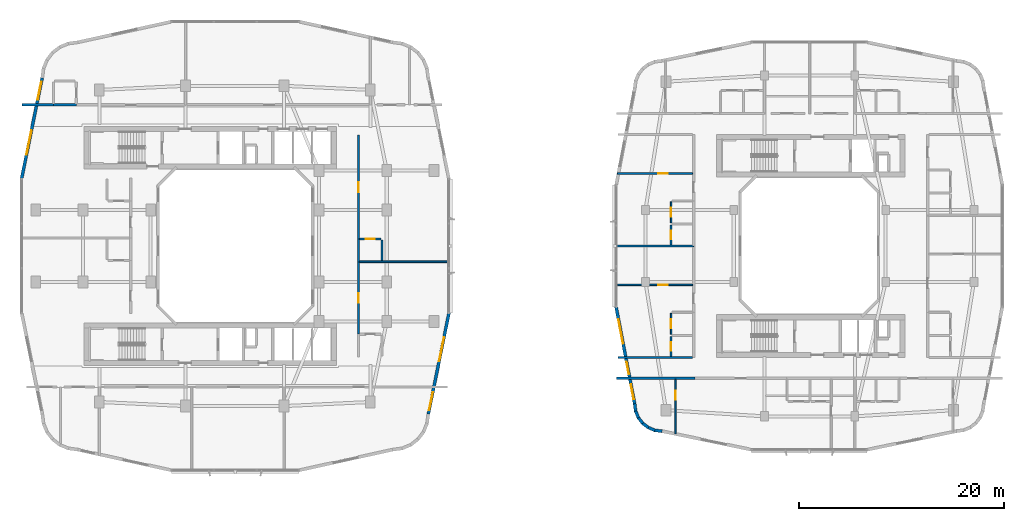
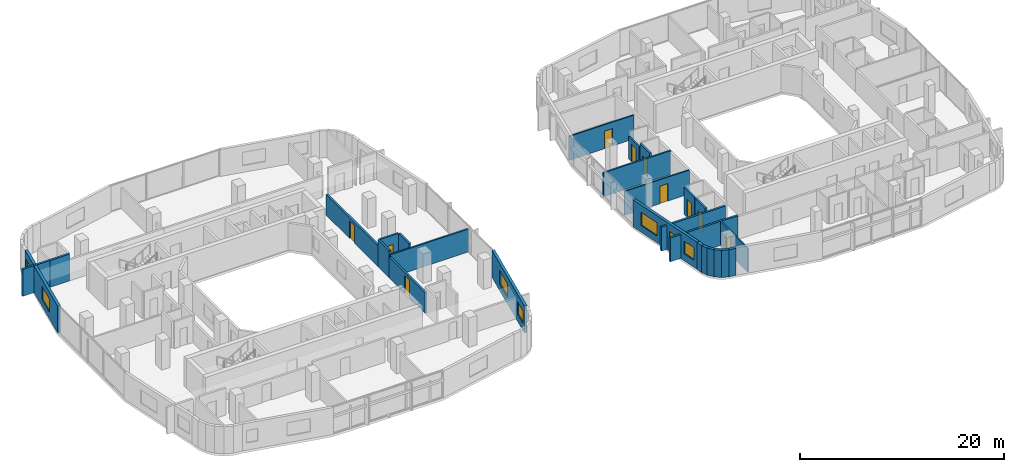
# One storey, part 15 of 26: 27 walls, 10 doors, 7 windows, 17 openings.
"""IFC4 building model written with IfcOpenShell, lengths in metres."""

from ifc_helpers import new_model, si_unit, derived_unit, direction, frame, frame_2d, origin, place, context, subcontext, project, spatial, rectangle, extrude, material, layer, layer_set, type_object, element, fill, save


model = new_model("IFC4")

# Units and contexts
model_context = context("Model", 3, precision=1e-05, world=origin(), true_north=direction((0.0, 1.0)))
body_context = subcontext(model_context, "Body", "Model", "MODEL_VIEW")
ifc_project = project(units=[si_unit("LENGTHUNIT", "METRE"), si_unit("AREAUNIT", "SQUARE_METRE"), si_unit("VOLUMEUNIT", "CUBIC_METRE"), si_unit("PLANEANGLEUNIT", "RADIAN"), si_unit("MASSUNIT", "GRAM", prefix="KILO"), derived_unit("THERMALTRANSMITTANCEUNIT", [(si_unit("POWERUNIT", "WATT"), 1), (si_unit("LENGTHUNIT", "METRE"), -2), (si_unit("THERMODYNAMICTEMPERATUREUNIT", "KELVIN"), -1)])], contexts=[model_context])

# Site, building, storey
site_placement = place(None, origin())
site = spatial("IfcSite", under=ifc_project, at=site_placement, CompositionType="ELEMENT")
building_placement = place(site_placement, origin())
building = spatial("IfcBuilding", under=site, at=building_placement, Name="Kivonza Crest Hotel", CompositionType="ELEMENT")
storey_placement = place(building_placement, frame((0.0, 0.0, 66.0)))
storey = spatial("IfcBuildingStorey", under=building, at=storey_placement, Name="L17", CompositionType="ELEMENT", Elevation=66.0)

# Walls
ifc_material_1 = material(Name="High-density acoustic masonry inter-tenancy wall", Category="masonry")
ifc_layer_1 = layer(ifc_material_1, 0.179931640625)
ifc_layer_set_1 = layer_set([ifc_layer_1], Name="High-density acoustic masonry inter-tenancy wall")
wall_type_1 = type_object("IfcWallType", Name="WL-ACOU-180", PredefinedType="SOLIDWALL", material=ifc_layer_set_1)
wall_1_placement = place(storey_placement, frame((33.050048828125, 23.4599609375, 0.0), z_axis=(0.0, 0.0, 1.0), x_axis=(1.0, 0.0, 0.0)))
element("IfcWall", 1, at=wall_1_placement, inside=storey, type_object=wall_type_1, Name="L17 interior partition WA-L17-T1E-DIV1", PredefinedType="SOLIDWALL", context=body_context, shape_type="SweptSolid", body=[
    extrude(rectangle(XDim=8.889892578125, YDim=0.179931640625, at=frame_2d((4.44482421875, 0.0))), origin(), (0.0, 0.0, 1.0), 2.7451171875),
])
wall_2_placement = place(storey_placement, frame((58.06005859375, 25.0, 0.0), z_axis=(0.0, 0.0, 1.0), x_axis=(1.0, 0.0, 0.0)))
element("IfcWall", 2, at=wall_2_placement, inside=storey, type_object=wall_type_1, Name="L17 interior partition WA-L17-T2W-DIV1", PredefinedType="SOLIDWALL", context=body_context, shape_type="SweptSolid", body=[
    extrude(rectangle(XDim=7.639892578125, YDim=0.179931640625, at=frame_2d((3.81982421875, 0.0))), origin(), (0.0, 0.0, 1.0), 2.864990234375),
])
ifc_material_2 = material(Name="Autoclaved aerated concrete blockwork", Category="masonry")
ifc_layer_2 = layer(ifc_material_2, 0.219970703125)
ifc_layer_set_2 = layer_set([ifc_layer_2], Name="Autoclaved aerated concrete blockwork")
wall_type_2 = type_object("IfcWallType", Name="WL-ACOU-220", PredefinedType="SOLIDWALL", material=ifc_layer_set_2)
wall_3_placement = place(storey_placement, frame((0.239990234375, 38.75, 0.0), z_axis=(0.0, 0.0, 1.0), x_axis=(1.0, 0.0, 0.0)))
element("IfcWall", 3, at=wall_3_placement, inside=storey, type_object=wall_type_2, Name="L17 interior partition WA-L17-N01-XCORR", PredefinedType="SOLIDWALL", context=body_context, shape_type="SweptSolid", body=[
    extrude(rectangle(XDim=3.110107421875, YDim=0.219970703125, at=frame_2d((1.55517578125, 0.0))), origin(), (0.0, 0.0, 1.0), 3.219970703125),
])
wall_4_placement = place(storey_placement, frame((3.35009765625, 38.75, 0.0), z_axis=(0.0, 0.0, 1.0), x_axis=(1.0, 0.0, 0.0)))
element("IfcWall", 4, at=wall_4_placement, inside=storey, type_object=wall_type_2, Name="L17 interior partition WA-L17-N01-BCORR", PredefinedType="SOLIDWALL", context=body_context, shape_type="SweptSolid", body=[
    extrude(rectangle(XDim=2.199951171875, YDim=0.219970703125, at=frame_2d((1.10009765625, 0.0))), origin(), (0.0, 0.0, 1.0), 3.219970703125),
])

# Wall, opening, door
wall_5_placement = place(storey_placement, frame((33.050048828125, 16.39990234375, 0.0), z_axis=(0.0, 0.0, 1.0), x_axis=(0.0, 1.0, 0.0)))
wall_5 = element("IfcWall", 5, at=wall_5_placement, inside=storey, type_object=wall_type_2, Name="L17 interior partition WA-L17-E04-MCORR", PredefinedType="SOLIDWALL", context=body_context, shape_type="SweptSolid", body=[
    extrude(rectangle(XDim=7.06005859375, YDim=0.219970703125, at=frame_2d((3.530029296875, 0.0))), origin(), (0.0, 0.0, 1.0), 2.4951171875),
])
opening_1_placement = place(wall_5_placement, frame((3.054931640625, 0.0, 0.0)))
opening_1 = element("IfcOpeningElement", 6, at=opening_1_placement, cuts=wall_5, Name="Opening DU-60", PredefinedType="OPENING", context=body_context, shape_type="SweptSolid", body=[
    extrude(rectangle(XDim=0.949951171875, YDim=2.10009765625, at=frame_2d((0.47509765625, 1.050048828125))), frame((0.0, 0.1201171875, 0.0), z_axis=(0.0, -1.0, 0.0), x_axis=(1.0, 0.0, 0.0)), (0.0, 0.0, 1.0), 0.239990234375),
])
ifc_material_3 = material(Name="Hardwood timber oak", Category="wood")
door_type_1 = type_object("IfcDoorType", Name="DR-UNIT-950", OperationType="NOTDEFINED", PredefinedType="DOOR", material=ifc_material_3)
door_1_placement = place(opening_1_placement, frame((0.949951171875, 0.0, 0.0), z_axis=(0.0, 0.0, 1.0), x_axis=(-1.0, 0.0, 0.0)))
door_1 = element("IfcDoor", 7, at=door_1_placement, inside=storey, type_object=door_type_1, Name="L17 E04 guest unit entrance fire door", OperationType="SINGLE_SWING_RIGHT", OverallHeight=2.10009765625, OverallWidth=0.949951171875, PredefinedType="DOOR", context=body_context, shape_type="SweptSolid", body=[
    extrude(rectangle(XDim=0.949951171875, YDim=2.10009765625, at=frame_2d((0.47509765625, 1.050048828125))), frame((0.0, 0.02490234375, 0.0), z_axis=(0.0, -1.0, 0.0), x_axis=(1.0, 0.0, 0.0)), (0.0, 0.0, 1.0), 0.050048828125),
])
fill(opening_1, door_1)

# Wall
wall_6_placement = place(storey_placement, frame((33.050048828125, 23.4599609375, 0.0), z_axis=(0.0, 0.0, 1.0), x_axis=(0.0, 1.0, 0.0)))
element("IfcWall", 8, at=wall_6_placement, inside=storey, type_object=wall_type_2, Name="L17 interior partition WA-L17-E05-BCORR", PredefinedType="SOLIDWALL", context=body_context, shape_type="SweptSolid", body=[
    extrude(rectangle(XDim=2.199951171875, YDim=0.219970703125, at=frame_2d((1.10009765625, 0.0))), origin(), (0.0, 0.0, 1.0), 3.219970703125),
])

# Wall, opening, door
wall_7_placement = place(storey_placement, frame((33.050048828125, 25.659912109375, 0.0), z_axis=(0.0, 0.0, 1.0), x_axis=(0.0, 1.0, 0.0)))
wall_7 = element("IfcWall", 9, at=wall_7_placement, inside=storey, type_object=wall_type_2, Name="L17 interior partition WA-L17-E05-MCORR", PredefinedType="SOLIDWALL", context=body_context, shape_type="SweptSolid", body=[
    extrude(rectangle(XDim=10.14013671875, YDim=0.219970703125, at=frame_2d((5.070068359375, 0.0))), origin(), (0.0, 0.0, 1.0), 2.4951171875),
])
opening_2_placement = place(wall_7_placement, frame((4.594970703125, 0.0, 0.0)))
opening_2 = element("IfcOpeningElement", 10, at=opening_2_placement, cuts=wall_7, Name="Opening DU-60", PredefinedType="OPENING", context=body_context, shape_type="SweptSolid", body=[
    extrude(rectangle(XDim=0.949951171875, YDim=2.10009765625, at=frame_2d((0.47509765625, 1.050048828125))), frame((0.0, 0.1201171875, 0.0), z_axis=(0.0, -1.0, 0.0), x_axis=(1.0, 0.0, 0.0)), (0.0, 0.0, 1.0), 0.239990234375),
])
door_2_placement = place(opening_2_placement, frame((0.949951171875, 0.0, 0.0), z_axis=(0.0, 0.0, 1.0), x_axis=(-1.0, 0.0, 0.0)))
door_2 = element("IfcDoor", 11, at=door_2_placement, inside=storey, type_object=door_type_1, Name="L17 E05 guest unit entrance fire door", OperationType="SINGLE_SWING_LEFT", OverallHeight=2.10009765625, OverallWidth=0.949951171875, PredefinedType="DOOR", context=body_context, shape_type="SweptSolid", body=[
    extrude(rectangle(XDim=0.949951171875, YDim=2.10009765625, at=frame_2d((0.47509765625, 1.050048828125))), frame((0.0, 0.02490234375, 0.0), z_axis=(0.0, -1.0, 0.0), x_axis=(1.0, 0.0, 0.0)), (0.0, 0.0, 1.0), 0.050048828125),
])
fill(opening_2, door_2)

# Walls
wall_8_placement = place(storey_placement, frame((58.159912109375, 12.10009765625, 0.0), z_axis=(0.0, 0.0, 1.0), x_axis=(1.0, 0.0, 0.0)))
element("IfcWall", 12, at=wall_8_placement, inside=storey, type_object=wall_type_2, Name="L17 interior partition WA-L17-A03-LCORR", PredefinedType="SOLIDWALL", context=body_context, shape_type="SweptSolid", body=[
    extrude(rectangle(XDim=7.690185546875, YDim=0.219970703125, at=frame_2d((3.84521484375, 0.0))), origin(), (0.0, 0.0, 1.0), 2.864990234375),
])
wall_9_placement = place(storey_placement, frame((58.320068359375, 14.139892578125, 0.0), z_axis=(0.0, 0.0, 1.0), x_axis=(1.0, 0.0, 0.0)))
element("IfcWall", 13, at=wall_9_placement, inside=storey, type_object=wall_type_2, Name="L17 interior partition WA-L17-T2W-ENDS", PredefinedType="SOLIDWALL", context=body_context, shape_type="SweptSolid", body=[
    extrude(rectangle(XDim=7.280029296875, YDim=0.219970703125, at=frame_2d((3.64013671875, 0.0))), origin(), (0.0, 0.0, 1.0), 2.864990234375),
])

# Wall, openings, windows
ifc_material_4 = material(Name="Precast concrete C40/50", Category="concrete")
ifc_layer_3 = layer(ifc_material_4, 0.300048828125)
ifc_layer_set_3 = layer_set([ifc_layer_3], Name="Precast concrete C40/50")
wall_type_3 = type_object("IfcWallType", Name="WL-EXT-300", PredefinedType="STANDARD", material=ifc_layer_set_3)
wall_10_placement = place(storey_placement, frame((39.85107421875, 8.6220703125, 0.0), z_axis=(0.0, 0.0, 1.0), x_axis=(0.199990901713, 0.979797754249, 0.0)))
wall_10 = element("IfcWall", 14, at=wall_10_placement, inside=storey, type_object=wall_type_3, Name="L17 T1 exterior insulated wall 16", PredefinedType="STANDARD", context=body_context, shape_type="SweptSolid", body=[
    extrude(rectangle(XDim=10.065185546875, YDim=0.300048828125, at=frame_2d((5.03271484375, 0.0))), origin(), (0.0, 0.0, 1.0), 3.219970703125),
])
opening_3_placement = place(wall_10_placement, frame((0.3779296875, 0.0, 0.85009765625)))
opening_3 = element("IfcOpeningElement", 15, at=opening_3_placement, cuts=wall_10, Name="Opening WN-03", PredefinedType="OPENING", context=body_context, shape_type="SweptSolid", body=[
    extrude(rectangle(XDim=1.800048828125, YDim=1.5, at=frame_2d((0.89990234375, 0.75))), frame((0.0, 0.16015625, 0.0), z_axis=(0.0, -1.0, 0.0), x_axis=(1.0, 0.0, 0.0)), (0.0, 0.0, 1.0), 0.320068359375),
])
opening_4_placement = place(wall_10_placement, frame((5.236083984375, 0.0, 0.800048828125)))
opening_4 = element("IfcOpeningElement", 16, at=opening_4_placement, cuts=wall_10, Name="Opening WN-05", PredefinedType="OPENING", context=body_context, shape_type="SweptSolid", body=[
    extrude(rectangle(XDim=2.39990234375, YDim=1.60009765625, at=frame_2d((1.199951171875, 0.800048828125))), frame((0.0, 0.16015625, 0.0), z_axis=(0.0, -1.0, 0.0), x_axis=(1.0, 0.0, 0.0)), (0.0, 0.0, 1.0), 0.320068359375),
])
ifc_material_5 = material(Name="Thermally broken bronze aluminium and low-E double glazing", Category="aluminium")
window_type_1 = type_object("IfcWindowType", Name="WN-180x150", PartitioningType="DOUBLE_PANEL_VERTICAL", PredefinedType="WINDOW", material=ifc_material_5)
window_1_placement = place(opening_3_placement, origin())
window_1 = element("IfcWindow", 17, at=window_1_placement, inside=storey, type_object=window_type_1, Name="L17 T1 facade window 16 bay 1", OverallHeight=1.5, OverallWidth=1.800048828125, PartitioningType="SINGLE_PANEL", PredefinedType="WINDOW", context=body_context, shape_type="SweptSolid", body=[
    extrude(rectangle(XDim=1.800048828125, YDim=1.5, at=frame_2d((0.89990234375, 0.75))), frame((0.0, 0.030029296875, 0.0), z_axis=(0.0, -1.0, 0.0), x_axis=(1.0, 0.0, 0.0)), (0.0, 0.0, 1.0), 0.06005859375),
])
fill(opening_3, window_1)
window_type_2 = type_object("IfcWindowType", Name="WN-240x160", PartitioningType="TRIPLE_PANEL_VERTICAL", PredefinedType="WINDOW", material=ifc_material_5)
window_2_placement = place(opening_4_placement, origin())
window_2 = element("IfcWindow", 18, at=window_2_placement, inside=storey, type_object=window_type_2, Name="L17 T1 facade window 16 bay 2", OverallHeight=1.60009765625, OverallWidth=2.39990234375, PartitioningType="SINGLE_PANEL", PredefinedType="WINDOW", context=body_context, shape_type="SweptSolid", body=[
    extrude(rectangle(XDim=2.39990234375, YDim=1.60009765625, at=frame_2d((1.199951171875, 0.800048828125))), frame((0.0, 0.030029296875, 0.0), z_axis=(0.0, -1.0, 0.0), x_axis=(1.0, 0.0, 0.0)), (0.0, 0.0, 1.0), 0.06005859375),
])
fill(opening_4, window_2)

wall_11_placement = place(storey_placement, frame((2.22900390625, 41.3779296875, 0.0), z_axis=(0.0, 0.0, 1.0), x_axis=(-0.199990901713, -0.979797754249, 0.0)))
wall_11 = element("IfcWall", 19, at=wall_11_placement, inside=storey, type_object=wall_type_3, Name="L17 T1 exterior insulated wall 34", PredefinedType="STANDARD", context=body_context, shape_type="SweptSolid", body=[
    extrude(rectangle(XDim=10.065185546875, YDim=0.300048828125, at=frame_2d((5.03271484375, 0.0))), origin(), (0.0, 0.0, 1.0), 3.219970703125),
])
opening_5_placement = place(wall_11_placement, frame((0.3779296875, 0.0, 0.85009765625)))
opening_5 = element("IfcOpeningElement", 20, at=opening_5_placement, cuts=wall_11, Name="Opening WN-03", PredefinedType="OPENING", context=body_context, shape_type="SweptSolid", body=[
    extrude(rectangle(XDim=1.800048828125, YDim=1.5, at=frame_2d((0.89990234375, 0.75))), frame((0.0, 0.16015625, 0.0), z_axis=(0.0, -1.0, 0.0), x_axis=(1.0, 0.0, 0.0)), (0.0, 0.0, 1.0), 0.320068359375),
])
opening_6_placement = place(wall_11_placement, frame((5.236083984375, 0.0, 0.800048828125)))
opening_6 = element("IfcOpeningElement", 21, at=opening_6_placement, cuts=wall_11, Name="Opening WN-05", PredefinedType="OPENING", context=body_context, shape_type="SweptSolid", body=[
    extrude(rectangle(XDim=2.39990234375, YDim=1.60009765625, at=frame_2d((1.199951171875, 0.800048828125))), frame((0.0, 0.16015625, 0.0), z_axis=(0.0, -1.0, 0.0), x_axis=(1.0, 0.0, 0.0)), (0.0, 0.0, 1.0), 0.320068359375),
])
window_3_placement = place(opening_5_placement, origin())
window_3 = element("IfcWindow", 22, at=window_3_placement, inside=storey, type_object=window_type_1, Name="L17 T1 facade window 34 bay 1", OverallHeight=1.5, OverallWidth=1.800048828125, PartitioningType="SINGLE_PANEL", PredefinedType="WINDOW", context=body_context, shape_type="SweptSolid", body=[
    extrude(rectangle(XDim=1.800048828125, YDim=1.5, at=frame_2d((0.89990234375, 0.75))), frame((0.0, 0.030029296875, 0.0), z_axis=(0.0, -1.0, 0.0), x_axis=(1.0, 0.0, 0.0)), (0.0, 0.0, 1.0), 0.06005859375),
])
fill(opening_5, window_3)
window_4_placement = place(opening_6_placement, origin())
window_4 = element("IfcWindow", 23, at=window_4_placement, inside=storey, type_object=window_type_2, Name="L17 T1 facade window 34 bay 2", OverallHeight=1.60009765625, OverallWidth=2.39990234375, PartitioningType="SINGLE_PANEL", PredefinedType="WINDOW", context=body_context, shape_type="SweptSolid", body=[
    extrude(rectangle(XDim=2.39990234375, YDim=1.60009765625, at=frame_2d((1.199951171875, 0.800048828125))), frame((0.0, 0.030029296875, 0.0), z_axis=(0.0, -1.0, 0.0), x_axis=(1.0, 0.0, 0.0)), (0.0, 0.0, 1.0), 0.06005859375),
])
fill(opening_6, window_4)

# Walls
wall_12_placement = place(storey_placement, frame((59.947998046875, 9.626953125, 0.0), z_axis=(0.0, 0.0, 1.0), x_axis=(0.130255288807, -0.991480488834, 0.0)))
element("IfcWall", 24, at=wall_12_placement, inside=storey, type_object=wall_type_3, Name="L17 T2 exterior insulated wall 1", PredefinedType="STANDARD", context=body_context, shape_type="SweptSolid", body=[
    extrude(rectangle(XDim=0.72900390625, YDim=0.300048828125, at=frame_2d((0.364501953125, 0.0))), origin(), (0.0, 0.0, 1.0), 3.25),
])
for number, where, z_axis, x_axis, name in (
    (25, (60.02392578125, 8.955078125, 0.0), (0.0, 0.0, 1.0), (0.383546213491, -0.923521684703, 0.0), "L17 T2 exterior insulated wall 2"),
    (26, (60.279052734375, 8.31103515625, 0.0), (0.0, 0.0, 1.0), (0.608397189915, -0.79363269798, 0.0), "L17 T2 exterior insulated wall 3"),
    (27, (60.69091796875, 7.75390625, 0.0), (0.0, 0.0, 1.0), (0.79363269798, -0.608397189915, 0.0), "L17 T2 exterior insulated wall 4"),
    (28, (61.23388671875, 7.323974609375, 0.0), (0.0, 0.0, 1.0), (0.923685632463, -0.383151213466, 0.0), "L17 T2 exterior insulated wall 5"),
):
    element("IfcWall", number, at=place(storey_placement, frame(where, z_axis=z_axis, x_axis=x_axis)), inside=storey, type_object=wall_type_3, Name=name, PredefinedType="STANDARD", context=body_context, shape_type="SweptSolid", body=[
        extrude(rectangle(XDim=0.74609375, YDim=0.300048828125, at=frame_2d((0.373046875, 0.0))), origin(), (0.0, 0.0, 1.0), 3.25),
    ])
wall_13_placement = place(storey_placement, frame((61.868896484375, 7.047119140625, 0.0), z_axis=(0.0, 0.0, 1.0), x_axis=(0.991559404866, -0.129653178221, 0.0)))
element("IfcWall", 29, at=wall_13_placement, inside=storey, type_object=wall_type_3, Name="L17 T2 exterior insulated wall 6", PredefinedType="STANDARD", context=body_context, shape_type="SweptSolid", body=[
    extrude(rectangle(XDim=0.764404296875, YDim=0.300048828125, at=frame_2d((0.38232421875, 0.0))), origin(), (0.0, 0.0, 1.0), 3.25),
])

# Wall, openings, windows
wall_14_placement = place(storey_placement, frame((58.136962890625, 19.08203125, 0.0), z_axis=(0.0, 0.0, 1.0), x_axis=(0.188087874316, -0.982152203854, 0.0)))
wall_14 = element("IfcWall", 30, at=wall_14_placement, inside=storey, type_object=wall_type_3, Name="L17 T2 exterior insulated wall 36", PredefinedType="STANDARD", context=body_context, shape_type="SweptSolid", body=[
    extrude(rectangle(XDim=9.6337890625, YDim=0.300048828125, at=frame_2d((4.81689453125, 0.0))), origin(), (0.0, 0.0, 1.0), 3.25),
])
opening_7_placement = place(wall_14_placement, frame((1.2548828125, 0.0, 0.800048828125)))
opening_7 = element("IfcOpeningElement", 31, at=opening_7_placement, cuts=wall_14, Name="Opening WN-05", PredefinedType="OPENING", context=body_context, shape_type="SweptSolid", body=[
    extrude(rectangle(XDim=2.39990234375, YDim=1.60009765625, at=frame_2d((1.199951171875, 0.800048828125))), frame((0.0, 0.16015625, 0.0), z_axis=(0.0, -1.0, 0.0), x_axis=(1.0, 0.0, 0.0)), (0.0, 0.0, 1.0), 0.320068359375),
])
opening_8_placement = place(wall_14_placement, frame((5.469970703125, 0.0, 0.85009765625)))
opening_8 = element("IfcOpeningElement", 32, at=opening_8_placement, cuts=wall_14, Name="Opening WN-01", PredefinedType="OPENING", context=body_context, shape_type="SweptSolid", body=[
    extrude(rectangle(XDim=1.199951171875, YDim=1.5, at=frame_2d((0.60009765625, 0.75))), frame((0.0, 0.16015625, 0.0), z_axis=(0.0, -1.0, 0.0), x_axis=(1.0, 0.0, 0.0)), (0.0, 0.0, 1.0), 0.320068359375),
])
opening_9_placement = place(wall_14_placement, frame((7.681884765625, 0.0, 0.85009765625)))
opening_9 = element("IfcOpeningElement", 33, at=opening_9_placement, cuts=wall_14, Name="Opening WN-02", PredefinedType="OPENING", context=body_context, shape_type="SweptSolid", body=[
    extrude(rectangle(XDim=1.5, YDim=1.5, at=frame_2d((0.75, 0.75))), frame((0.0, 0.16015625, 0.0), z_axis=(0.0, -1.0, 0.0), x_axis=(1.0, 0.0, 0.0)), (0.0, 0.0, 1.0), 0.320068359375),
])
window_type_3 = type_object("IfcWindowType", Name="WN-120x150", PartitioningType="SINGLE_PANEL", PredefinedType="WINDOW", material=ifc_material_5)
window_5_placement = place(opening_8_placement, origin())
window_5 = element("IfcWindow", 34, at=window_5_placement, inside=storey, type_object=window_type_3, Name="L17 T2 facade window 36 bay 2", OverallHeight=1.5, OverallWidth=1.199951171875, PartitioningType="SINGLE_PANEL", PredefinedType="WINDOW", context=body_context, shape_type="SweptSolid", body=[
    extrude(rectangle(XDim=1.199951171875, YDim=1.5, at=frame_2d((0.60009765625, 0.75))), frame((0.0, 0.030029296875, 0.0), z_axis=(0.0, -1.0, 0.0), x_axis=(1.0, 0.0, 0.0)), (0.0, 0.0, 1.0), 0.06005859375),
])
fill(opening_8, window_5)
window_type_4 = type_object("IfcWindowType", Name="WN-150x150", PartitioningType="DOUBLE_PANEL_VERTICAL", PredefinedType="WINDOW", material=ifc_material_5)
window_6_placement = place(opening_9_placement, origin())
window_6 = element("IfcWindow", 35, at=window_6_placement, inside=storey, type_object=window_type_4, Name="L17 T2 facade window 36 bay 3", OverallHeight=1.5, OverallWidth=1.5, PartitioningType="SINGLE_PANEL", PredefinedType="WINDOW", context=body_context, shape_type="SweptSolid", body=[
    extrude(rectangle(XDim=1.5, YDim=1.5, at=frame_2d((0.75, 0.75))), frame((0.0, 0.030029296875, 0.0), z_axis=(0.0, -1.0, 0.0), x_axis=(1.0, 0.0, 0.0)), (0.0, 0.0, 1.0), 0.06005859375),
])
fill(opening_9, window_6)
window_7_placement = place(opening_7_placement, origin())
window_7 = element("IfcWindow", 36, at=window_7_placement, inside=storey, type_object=window_type_2, Name="L17 T2 facade window 36 bay 1", OverallHeight=1.60009765625, OverallWidth=2.39990234375, PartitioningType="SINGLE_PANEL", PredefinedType="WINDOW", context=body_context, shape_type="SweptSolid", body=[
    extrude(rectangle(XDim=2.39990234375, YDim=1.60009765625, at=frame_2d((1.199951171875, 0.800048828125))), frame((0.0, 0.030029296875, 0.0), z_axis=(0.0, -1.0, 0.0), x_axis=(1.0, 0.0, 0.0)), (0.0, 0.0, 1.0), 0.06005859375),
])
fill(opening_7, window_7)

# Wall, opening, door
ifc_material_6 = material(Name="Twin-stud acoustic gypsum board partition", Category="gypsum")
ifc_layer_4 = layer(ifc_material_6, 0.14990234375)
ifc_layer_set_4 = layer_set([ifc_layer_4], Name="Twin-stud acoustic gypsum board partition")
wall_type_4 = type_object("IfcWallType", Name="WL-PART-150", PredefinedType="PARTITIONING", material=ifc_layer_set_4)
wall_15_placement = place(storey_placement, frame((63.909912109375, 6.68896484375, 0.0), z_axis=(0.0, 0.0, 1.0), x_axis=(0.0, 1.0, 0.0)))
wall_15 = element("IfcWall", 37, at=wall_15_placement, inside=storey, type_object=wall_type_4, Name="L17 interior partition WP-L17-A03-BDW1", PredefinedType="PARTITIONING", context=body_context, shape_type="SweptSolid", body=[
    extrude(rectangle(XDim=5.31103515625, YDim=0.14990234375, at=frame_2d((2.655517578125, 0.0))), origin(), (0.0, 0.0, 1.0), 2.864990234375),
])
opening_10_placement = place(wall_15_placement, frame((3.31005859375, 0.0, 0.0)))
opening_10 = element("IfcOpeningElement", 38, at=opening_10_placement, cuts=wall_15, Name="Opening DI-90", PredefinedType="OPENING", context=body_context, shape_type="SweptSolid", body=[
    extrude(rectangle(XDim=0.89990234375, YDim=2.10009765625, at=frame_2d((0.449951171875, 1.050048828125))), frame((0.0, 0.0849609375, 0.0), z_axis=(0.0, -1.0, 0.0), x_axis=(1.0, 0.0, 0.0)), (0.0, 0.0, 1.0), 0.169921875),
])
door_type_2 = type_object("IfcDoorType", Name="DR-INT-900", OperationType="NOTDEFINED", PredefinedType="DOOR", material=ifc_material_3)
door_3_placement = place(opening_10_placement, origin())
door_3 = element("IfcDoor", 39, at=door_3_placement, inside=storey, type_object=door_type_2, Name="L17 A03 bedroom 1 door", OperationType="SINGLE_SWING_RIGHT", OverallHeight=2.10009765625, OverallWidth=0.89990234375, PredefinedType="DOOR", context=body_context, shape_type="SweptSolid", body=[
    extrude(rectangle(XDim=0.89990234375, YDim=2.10009765625, at=frame_2d((0.449951171875, 1.050048828125))), frame((0.0, 0.02490234375, 0.0), z_axis=(0.0, -1.0, 0.0), x_axis=(1.0, 0.0, 0.0)), (0.0, 0.0, 1.0), 0.050048828125),
])
fill(opening_10, door_3)

wall_16_placement = place(storey_placement, frame((58.260009765625, 21.199951171875, 0.0), z_axis=(0.0, 0.0, 1.0), x_axis=(1.0, 0.0, 0.0)))
wall_16 = element("IfcWall", 40, at=wall_16_placement, inside=storey, type_object=wall_type_4, Name="L17 interior partition WP-L17-A05-BD1", PredefinedType="PARTITIONING", context=body_context, shape_type="SweptSolid", body=[
    extrude(rectangle(XDim=7.340087890625, YDim=0.14990234375, at=frame_2d((3.669921875, 0.0))), origin(), (0.0, 0.0, 1.0), 2.864990234375),
])
opening_11_placement = place(wall_16_placement, frame((3.989990234375, 0.0, 0.0)))
opening_11 = element("IfcOpeningElement", 41, at=opening_11_placement, cuts=wall_16, Name="Opening DI-90", PredefinedType="OPENING", context=body_context, shape_type="SweptSolid", body=[
    extrude(rectangle(XDim=0.89990234375, YDim=2.10009765625, at=frame_2d((0.449951171875, 1.050048828125))), frame((0.0, 0.0849609375, 0.0), z_axis=(0.0, -1.0, 0.0), x_axis=(1.0, 0.0, 0.0)), (0.0, 0.0, 1.0), 0.169921875),
])
door_4_placement = place(opening_11_placement, origin())
door_4 = element("IfcDoor", 42, at=door_4_placement, inside=storey, type_object=door_type_2, Name="L17 A05 bedroom door", OperationType="SINGLE_SWING_RIGHT", OverallHeight=2.10009765625, OverallWidth=0.89990234375, PredefinedType="DOOR", context=body_context, shape_type="SweptSolid", body=[
    extrude(rectangle(XDim=0.89990234375, YDim=2.10009765625, at=frame_2d((0.449951171875, 1.050048828125))), frame((0.0, 0.02490234375, 0.0), z_axis=(0.0, -1.0, 0.0), x_axis=(1.0, 0.0, 0.0)), (0.0, 0.0, 1.0), 0.050048828125),
])
fill(opening_11, door_4)

wall_17_placement = place(storey_placement, frame((63.5, 16.389892578125, 0.0), z_axis=(0.0, 0.0, 1.0), x_axis=(0.0, 1.0, 0.0)))
wall_17 = element("IfcWall", 43, at=wall_17_placement, inside=storey, type_object=wall_type_4, Name="L17 interior partition WP-L17-A05-KSVC", PredefinedType="PARTITIONING", context=body_context, shape_type="SweptSolid", body=[
    extrude(rectangle(XDim=2.050048828125, YDim=0.14990234375, at=frame_2d((1.02490234375, 0.0))), origin(), (0.0, 0.0, 1.0), 3.219970703125),
])
opening_12_placement = place(wall_17_placement, frame((0.574951171875, 0.0, 0.0)))
opening_12 = element("IfcOpeningElement", 44, at=opening_12_placement, cuts=wall_17, Name="Opening DI-90", PredefinedType="OPENING", context=body_context, shape_type="SweptSolid", body=[
    extrude(rectangle(XDim=0.89990234375, YDim=2.10009765625, at=frame_2d((0.449951171875, 1.050048828125))), frame((0.0, 0.0849609375, 0.0), z_axis=(0.0, -1.0, 0.0), x_axis=(1.0, 0.0, 0.0)), (0.0, 0.0, 1.0), 0.169921875),
])
door_5_placement = place(opening_12_placement, origin())
door_5 = element("IfcDoor", 45, at=door_5_placement, inside=storey, type_object=door_type_2, Name="L17 A05 apartment kitchen door", OperationType="SINGLE_SWING_LEFT", OverallHeight=2.10009765625, OverallWidth=0.89990234375, PredefinedType="DOOR", context=body_context, shape_type="SweptSolid", body=[
    extrude(rectangle(XDim=0.89990234375, YDim=2.10009765625, at=frame_2d((0.449951171875, 1.050048828125))), frame((0.0, 0.02490234375, 0.0), z_axis=(0.0, -1.0, 0.0), x_axis=(1.0, 0.0, 0.0)), (0.0, 0.0, 1.0), 0.050048828125),
])
fill(opening_12, door_5)

wall_18_placement = place(storey_placement, frame((58.260009765625, 32.06005859375, 0.0), z_axis=(0.0, 0.0, 1.0), x_axis=(1.0, 0.0, 0.0)))
wall_18 = element("IfcWall", 46, at=wall_18_placement, inside=storey, type_object=wall_type_4, Name="L17 interior partition WP-L17-A06-BD1", PredefinedType="PARTITIONING", context=body_context, shape_type="SweptSolid", body=[
    extrude(rectangle(XDim=7.340087890625, YDim=0.14990234375, at=frame_2d((3.669921875, 0.0))), origin(), (0.0, 0.0, 1.0), 2.864990234375),
])
opening_13_placement = place(wall_18_placement, frame((3.989990234375, 0.0, 0.0)))
opening_13 = element("IfcOpeningElement", 47, at=opening_13_placement, cuts=wall_18, Name="Opening DI-90", PredefinedType="OPENING", context=body_context, shape_type="SweptSolid", body=[
    extrude(rectangle(XDim=0.89990234375, YDim=2.10009765625, at=frame_2d((0.449951171875, 1.050048828125))), frame((0.0, 0.0849609375, 0.0), z_axis=(0.0, -1.0, 0.0), x_axis=(1.0, 0.0, 0.0)), (0.0, 0.0, 1.0), 0.169921875),
])
door_6_placement = place(opening_13_placement, origin())
door_6 = element("IfcDoor", 48, at=door_6_placement, inside=storey, type_object=door_type_2, Name="L17 A06 bedroom door", OperationType="SINGLE_SWING_LEFT", OverallHeight=2.10009765625, OverallWidth=0.89990234375, PredefinedType="DOOR", context=body_context, shape_type="SweptSolid", body=[
    extrude(rectangle(XDim=0.89990234375, YDim=2.10009765625, at=frame_2d((0.449951171875, 1.050048828125))), frame((0.0, 0.02490234375, 0.0), z_axis=(0.0, -1.0, 0.0), x_axis=(1.0, 0.0, 0.0)), (0.0, 0.0, 1.0), 0.050048828125),
])
fill(opening_13, door_6)

wall_19_placement = place(storey_placement, frame((63.5, 27.25, 0.0), z_axis=(0.0, 0.0, 1.0), x_axis=(0.0, 1.0, 0.0)))
wall_19 = element("IfcWall", 49, at=wall_19_placement, inside=storey, type_object=wall_type_4, Name="L17 interior partition WP-L17-A06-KSVC", PredefinedType="PARTITIONING", context=body_context, shape_type="SweptSolid", body=[
    extrude(rectangle(XDim=2.050048828125, YDim=0.14990234375, at=frame_2d((1.02490234375, 0.0))), origin(), (0.0, 0.0, 1.0), 2.72509765625),
])
opening_14_placement = place(wall_19_placement, frame((0.574951171875, 0.0, 0.0)))
opening_14 = element("IfcOpeningElement", 50, at=opening_14_placement, cuts=wall_19, Name="Opening DI-90", PredefinedType="OPENING", context=body_context, shape_type="SweptSolid", body=[
    extrude(rectangle(XDim=0.89990234375, YDim=2.10009765625, at=frame_2d((0.449951171875, 1.050048828125))), frame((0.0, 0.0849609375, 0.0), z_axis=(0.0, -1.0, 0.0), x_axis=(1.0, 0.0, 0.0)), (0.0, 0.0, 1.0), 0.169921875),
])
door_7_placement = place(opening_14_placement, origin())
door_7 = element("IfcDoor", 51, at=door_7_placement, inside=storey, type_object=door_type_2, Name="L17 A06 apartment kitchen door", OperationType="SINGLE_SWING_RIGHT", OverallHeight=2.10009765625, OverallWidth=0.89990234375, PredefinedType="DOOR", context=body_context, shape_type="SweptSolid", body=[
    extrude(rectangle(XDim=0.89990234375, YDim=2.10009765625, at=frame_2d((0.449951171875, 1.050048828125))), frame((0.0, 0.02490234375, 0.0), z_axis=(0.0, -1.0, 0.0), x_axis=(1.0, 0.0, 0.0)), (0.0, 0.0, 1.0), 0.050048828125),
])
fill(opening_14, door_7)

ifc_material_7 = material(Name="Moisture-resistant plumbing chase partition wall", Category="gypsum")
ifc_layer_5 = layer(ifc_material_7, 0.199951171875)
ifc_layer_set_5 = layer_set([ifc_layer_5], Name="Moisture-resistant plumbing chase partition wall")
wall_type_5 = type_object("IfcWallType", Name="WL-PLUMB-200", PredefinedType="PLUMBINGWALL", material=ifc_layer_set_5)
wall_20_placement = place(storey_placement, frame((33.14990234375, 25.659912109375, 0.0), z_axis=(0.0, 0.0, 1.0), x_axis=(1.0, 0.0, 0.0)))
wall_20 = element("IfcWall", 52, at=wall_20_placement, inside=storey, type_object=wall_type_5, Name="L17 interior partition WW-L17-E05-BH", PredefinedType="PLUMBINGWALL", context=body_context, shape_type="SweptSolid", body=[
    extrude(rectangle(XDim=2.10009765625, YDim=0.199951171875, at=frame_2d((1.050048828125, 0.0))), origin(), (0.0, 0.0, 1.0), 3.219970703125),
])
opening_15_placement = place(wall_20_placement, frame((0.625, 0.0, 0.0)))
opening_15 = element("IfcOpeningElement", 53, at=opening_15_placement, cuts=wall_20, Name="Opening DI-85", PredefinedType="OPENING", context=body_context, shape_type="SweptSolid", body=[
    extrude(rectangle(XDim=0.85009765625, YDim=2.10009765625, at=frame_2d((0.425048828125, 1.050048828125))), frame((0.0, 0.10986328125, 0.0), z_axis=(0.0, -1.0, 0.0), x_axis=(1.0, 0.0, 0.0)), (0.0, 0.0, 1.0), 0.219970703125),
])
door_type_3 = type_object("IfcDoorType", Name="DR-INT-850", OperationType="NOTDEFINED", PredefinedType="DOOR", material=ifc_material_3)
door_8_placement = place(opening_15_placement, origin())
door_8 = element("IfcDoor", 54, at=door_8_placement, inside=storey, type_object=door_type_3, Name="L17 E05 en-suite bathroom door", OperationType="SINGLE_SWING_RIGHT", OverallHeight=2.10009765625, OverallWidth=0.85009765625, PredefinedType="DOOR", context=body_context, shape_type="SweptSolid", body=[
    extrude(rectangle(XDim=0.85009765625, YDim=2.10009765625, at=frame_2d((0.425048828125, 1.050048828125))), frame((0.0, 0.02490234375, 0.0), z_axis=(0.0, -1.0, 0.0), x_axis=(1.0, 0.0, 0.0)), (0.0, 0.0, 1.0), 0.050048828125),
])
fill(opening_15, door_8)

# Wall
wall_21_placement = place(storey_placement, frame((35.35009765625, 23.56005859375, 0.0), z_axis=(0.0, 0.0, 1.0), x_axis=(0.0, 1.0, 0.0)))
element("IfcWall", 55, at=wall_21_placement, inside=storey, type_object=wall_type_5, Name="L17 interior partition WW-L17-E05-BV", PredefinedType="PLUMBINGWALL", context=body_context, shape_type="SweptSolid", body=[
    extrude(rectangle(XDim=2.0, YDim=0.199951171875, at=frame_2d((1.0, 0.0))), origin(), (0.0, 0.0, 1.0), 3.219970703125),
])

# Wall, opening, door
wall_22_placement = place(storey_placement, frame((63.5, 14.239990234375, 0.0), z_axis=(0.0, 0.0, 1.0), x_axis=(0.0, 1.0, 0.0)))
wall_22 = element("IfcWall", 56, at=wall_22_placement, inside=storey, type_object=wall_type_5, Name="L17 interior partition WW-L17-A05-BSVC", PredefinedType="PLUMBINGWALL", context=body_context, shape_type="SweptSolid", body=[
    extrude(rectangle(XDim=1.949951171875, YDim=0.199951171875, at=frame_2d((0.97509765625, 0.0))), origin(), (0.0, 0.0, 1.0), 3.219970703125),
])
opening_16_placement = place(wall_22_placement, frame((0.550048828125, 0.0, 0.0)))
opening_16 = element("IfcOpeningElement", 57, at=opening_16_placement, cuts=wall_22, Name="Opening DI-85", PredefinedType="OPENING", context=body_context, shape_type="SweptSolid", body=[
    extrude(rectangle(XDim=0.85009765625, YDim=2.10009765625, at=frame_2d((0.425048828125, 1.050048828125))), frame((0.0, 0.10986328125, 0.0), z_axis=(0.0, -1.0, 0.0), x_axis=(1.0, 0.0, 0.0)), (0.0, 0.0, 1.0), 0.219970703125),
])
door_9_placement = place(opening_16_placement, origin())
door_9 = element("IfcDoor", 58, at=door_9_placement, inside=storey, type_object=door_type_3, Name="L17 A05 apartment bathroom door", OperationType="SINGLE_SWING_RIGHT", OverallHeight=2.10009765625, OverallWidth=0.85009765625, PredefinedType="DOOR", context=body_context, shape_type="SweptSolid", body=[
    extrude(rectangle(XDim=0.85009765625, YDim=2.10009765625, at=frame_2d((0.425048828125, 1.050048828125))), frame((0.0, 0.02490234375, 0.0), z_axis=(0.0, -1.0, 0.0), x_axis=(1.0, 0.0, 0.0)), (0.0, 0.0, 1.0), 0.050048828125),
])
fill(opening_16, door_9)

wall_23_placement = place(storey_placement, frame((63.5, 25.10009765625, 0.0), z_axis=(0.0, 0.0, 1.0), x_axis=(0.0, 1.0, 0.0)))
wall_23 = element("IfcWall", 59, at=wall_23_placement, inside=storey, type_object=wall_type_5, Name="L17 interior partition WW-L17-A06-BSVC", PredefinedType="PLUMBINGWALL", context=body_context, shape_type="SweptSolid", body=[
    extrude(rectangle(XDim=1.949951171875, YDim=0.199951171875, at=frame_2d((0.97509765625, 0.0))), origin(), (0.0, 0.0, 1.0), 3.219970703125),
])
opening_17_placement = place(wall_23_placement, frame((0.550048828125, 0.0, 0.0)))
opening_17 = element("IfcOpeningElement", 60, at=opening_17_placement, cuts=wall_23, Name="Opening DI-85", PredefinedType="OPENING", context=body_context, shape_type="SweptSolid", body=[
    extrude(rectangle(XDim=0.85009765625, YDim=2.10009765625, at=frame_2d((0.425048828125, 1.050048828125))), frame((0.0, 0.10986328125, 0.0), z_axis=(0.0, -1.0, 0.0), x_axis=(1.0, 0.0, 0.0)), (0.0, 0.0, 1.0), 0.219970703125),
])
door_10_placement = place(opening_17_placement, origin())
door_10 = element("IfcDoor", 61, at=door_10_placement, inside=storey, type_object=door_type_3, Name="L17 A06 apartment bathroom door", OperationType="SINGLE_SWING_LEFT", OverallHeight=2.10009765625, OverallWidth=0.85009765625, PredefinedType="DOOR", context=body_context, shape_type="SweptSolid", body=[
    extrude(rectangle(XDim=0.85009765625, YDim=2.10009765625, at=frame_2d((0.425048828125, 1.050048828125))), frame((0.0, 0.02490234375, 0.0), z_axis=(0.0, -1.0, 0.0), x_axis=(1.0, 0.0, 0.0)), (0.0, 0.0, 1.0), 0.050048828125),
])
fill(opening_17, door_10)

save(model, "model.ifc")
